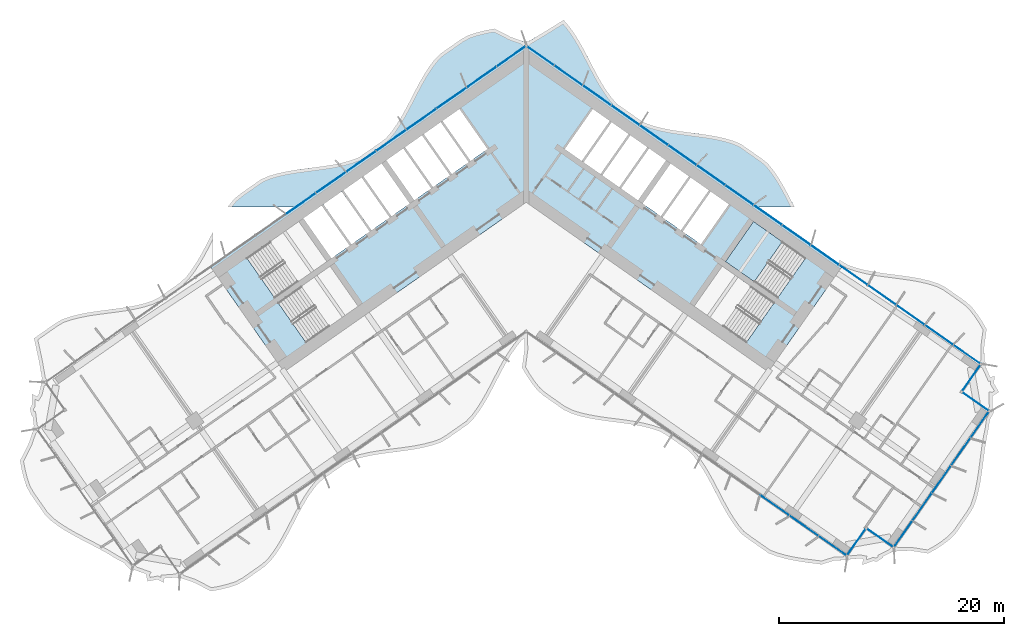
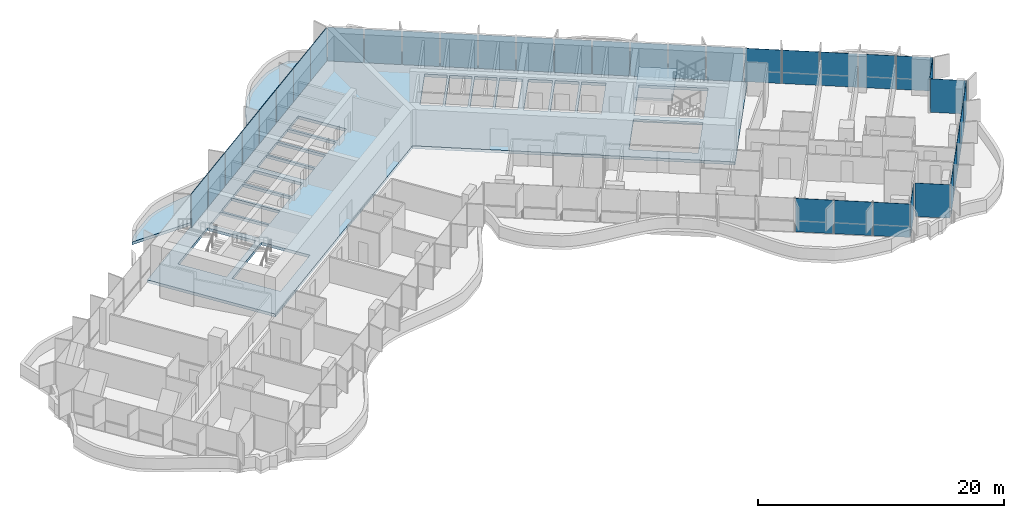
# One storey, part 11 of 23: 36 plates, 3 slabs, 3 elements without a shape of their own.
"""IFC4 building model written with IfcOpenShell, lengths in metres."""

from ifc_helpers import new_model, si_unit, direction, frame, origin, origin_2d, place, context, subcontext, project, spatial, polyline, rectangle, outline, extrude, material, layer, layer_set, type_object, element, aggregate, save


model = new_model("IFC4")

# Units and contexts
model_context = context("Model", 3, precision=1e-05, world=origin(), true_north=direction((0.0, 1.0)))
body_context = subcontext(model_context, "Body", "Model", "MODEL_VIEW")
ifc_project = project(units=[si_unit("LENGTHUNIT", "METRE"), si_unit("AREAUNIT", "SQUARE_METRE"), si_unit("VOLUMEUNIT", "CUBIC_METRE"), si_unit("PLANEANGLEUNIT", "RADIAN"), si_unit("MASSUNIT", "GRAM", prefix="KILO")], contexts=[model_context])

# Site, building, storey
site_placement = place(None, origin())
site = spatial("IfcSite", under=ifc_project, at=site_placement, CompositionType="ELEMENT")
building_placement = place(site_placement, origin())
building = spatial("IfcBuilding", under=site, at=building_placement, Name="Tel Ilan Convention Tower", CompositionType="ELEMENT")
storey_placement = place(building_placement, frame((0.0, 0.0, 94.10009765625)))
storey = spatial("IfcBuildingStorey", under=building, at=storey_placement, Name="L19", CompositionType="ELEMENT", Elevation=94.10009765625)

# Curtain wall, plates
ifc_material_1 = material(Name="Aluminium, bronze anodised", Category="aluminium")
curtain_wall_type_1 = type_object("IfcCurtainWallType", Name="CW1 UNITISED CURTAIN WALL, HOTEL TINTED GLASS", PredefinedType="NOTDEFINED", material=ifc_material_1)
curtain_wall_1_placement = place(storey_placement, origin())
curtain_wall_1 = element("IfcCurtainWall", 1, at=curtain_wall_1_placement, inside=storey, type_object=curtain_wall_type_1, Name="Curtain wall CW1-17.02", PredefinedType="NOTDEFINED")
ifc_material_2 = material(Name="Glass, bronze tinted, two-ply unitised", Category="glass")
ifc_layer_1 = layer(ifc_material_2, 0.028076171875)
ifc_layer_set_1 = layer_set([ifc_layer_1], Name="CW HOTEL GLASS PANEL 28")
plate_type_1 = type_object("IfcPlateType", Name="CW HOTEL GLASS PANEL 28", PredefinedType="CURTAIN_PANEL", material=ifc_layer_set_1)
plate_1_placement = place(storey_placement, frame((22.115478515625, -28.181396484375, 0.0), z_axis=(0.0, 0.0, 1.0), x_axis=(0.819152044289, -0.573576436351, 0.0)))
plate_1 = element("IfcPlate", 2, at=plate_1_placement, type_object=plate_type_1, Name="Glass panel", PredefinedType="CURTAIN_PANEL", context=body_context, shape_type="SweptSolid", body=[
    extrude(rectangle(XDim=3.10791015625, YDim=0.028076171875, at=origin_2d()), origin(), (0.0, 0.0, 1.0), 3.320068359375),
])
plate_2_placement = place(storey_placement, frame((24.71044921875, -29.99853515625, 0.0), z_axis=(0.0, 0.0, 1.0), x_axis=(0.819152044289, -0.573576436351, 0.0)))
plate_2 = element("IfcPlate", 3, at=plate_2_placement, type_object=plate_type_1, Name="Glass panel", PredefinedType="CURTAIN_PANEL", context=body_context, shape_type="SweptSolid", body=[
    extrude(rectangle(XDim=3.10791015625, YDim=0.028076171875, at=origin_2d()), origin(), (0.0, 0.0, 1.0), 3.320068359375),
])
plate_3_placement = place(storey_placement, frame((27.26708984375, -31.78857421875, 0.0), z_axis=(0.0, 0.0, 1.0), x_axis=(0.819152044289, -0.573576436351, 0.0)))
plate_3 = element("IfcPlate", 4, at=plate_3_placement, type_object=plate_type_1, Name="Glass panel", PredefinedType="CURTAIN_PANEL", context=body_context, shape_type="SweptSolid", body=[
    extrude(rectangle(XDim=3.013916015625, YDim=0.028076171875, at=origin_2d()), origin(), (0.0, 0.0, 1.0), 3.320068359375),
])
plate_4_placement = place(storey_placement, frame((29.359375, -31.469482421875, 0.0), z_axis=(0.0, 0.0, 1.0), x_axis=(0.573576436351, 0.819152044289, 0.0)))
plate_4 = element("IfcPlate", 5, at=plate_4_placement, type_object=plate_type_1, Name="Glass panel", PredefinedType="CURTAIN_PANEL", context=body_context, shape_type="SweptSolid", body=[
    extrude(rectangle(XDim=2.875, YDim=0.028076171875, at=origin_2d()), origin(), (0.0, 0.0, 1.0), 3.320068359375),
])
plate_5_placement = place(storey_placement, frame((31.502197265625, -31.091796875, 0.0), z_axis=(0.0, 0.0, 1.0), x_axis=(0.819152044289, -0.573576436351, 0.0)))
plate_5 = element("IfcPlate", 6, at=plate_5_placement, type_object=plate_type_1, Name="Glass panel", PredefinedType="CURTAIN_PANEL", context=body_context, shape_type="SweptSolid", body=[
    extrude(rectangle(XDim=2.875, YDim=0.028076171875, at=origin_2d()), origin(), (0.0, 0.0, 1.0), 3.320068359375),
])
plate_6_placement = place(storey_placement, frame((33.529296875, -30.74462890625, 0.0), z_axis=(0.0, 0.0, 1.0), x_axis=(0.573576436351, 0.819152044289, 0.0)))
plate_6 = element("IfcPlate", 7, at=plate_6_placement, type_object=plate_type_1, Name="Glass panel", PredefinedType="CURTAIN_PANEL", context=body_context, shape_type="SweptSolid", body=[
    extrude(rectangle(XDim=2.845947265625, YDim=0.028076171875, at=origin_2d()), origin(), (0.0, 0.0, 1.0), 3.320068359375),
])
plate_7_placement = place(storey_placement, frame((35.22314453125, -28.32568359375, 0.0), z_axis=(0.0, 0.0, 1.0), x_axis=(0.573576436351, 0.819152044289, 0.0)))
plate_7 = element("IfcPlate", 8, at=plate_7_placement, type_object=plate_type_1, Name="Glass panel", PredefinedType="CURTAIN_PANEL", context=body_context, shape_type="SweptSolid", body=[
    extrude(rectangle(XDim=2.93994140625, YDim=0.028076171875, at=origin_2d()), origin(), (0.0, 0.0, 1.0), 3.320068359375),
])
plate_8_placement = place(storey_placement, frame((36.94384765625, -25.868408203125, 0.0), z_axis=(0.0, 0.0, 1.0), x_axis=(0.573576436351, 0.819152044289, 0.0)))
plate_8 = element("IfcPlate", 9, at=plate_8_placement, type_object=plate_type_1, Name="Glass panel", PredefinedType="CURTAIN_PANEL", context=body_context, shape_type="SweptSolid", body=[
    extrude(rectangle(XDim=2.93994140625, YDim=0.028076171875, at=origin_2d()), origin(), (0.0, 0.0, 1.0), 3.320068359375),
])
plate_9_placement = place(storey_placement, frame((38.66455078125, -23.410888671875, 0.0), z_axis=(0.0, 0.0, 1.0), x_axis=(0.573576436351, 0.819152044289, 0.0)))
plate_9 = element("IfcPlate", 10, at=plate_9_placement, type_object=plate_type_1, Name="Glass panel", PredefinedType="CURTAIN_PANEL", context=body_context, shape_type="SweptSolid", body=[
    extrude(rectangle(XDim=2.93994140625, YDim=0.028076171875, at=origin_2d()), origin(), (0.0, 0.0, 1.0), 3.320068359375),
])
plate_10_placement = place(storey_placement, frame((40.358154296875, -20.991943359375, 0.0), z_axis=(0.0, 0.0, 1.0), x_axis=(0.573576436351, 0.819152044289, 0.0)))
plate_10 = element("IfcPlate", 11, at=plate_10_placement, type_object=plate_type_1, Name="Glass panel", PredefinedType="CURTAIN_PANEL", context=body_context, shape_type="SweptSolid", body=[
    extrude(rectangle(XDim=2.845947265625, YDim=0.028076171875, at=origin_2d()), origin(), (0.0, 0.0, 1.0), 3.320068359375),
])
plate_11_placement = place(storey_placement, frame((39.990966796875, -18.96826171875, 0.0), z_axis=(0.0, 0.0, 1.0), x_axis=(-0.819152044289, 0.573576436351, 0.0)))
plate_11 = element("IfcPlate", 12, at=plate_11_placement, type_object=plate_type_1, Name="Glass panel", PredefinedType="CURTAIN_PANEL", context=body_context, shape_type="SweptSolid", body=[
    extrude(rectangle(XDim=2.875, YDim=0.028076171875, at=origin_2d()), origin(), (0.0, 0.0, 1.0), 3.320068359375),
])
plate_12_placement = place(storey_placement, frame((39.61328125, -16.82568359375, 0.0), z_axis=(0.0, 0.0, 1.0), x_axis=(0.573576436351, 0.819152044289, 0.0)))
plate_12 = element("IfcPlate", 13, at=plate_12_placement, type_object=plate_type_1, Name="Glass panel", PredefinedType="CURTAIN_PANEL", context=body_context, shape_type="SweptSolid", body=[
    extrude(rectangle(XDim=2.875, YDim=0.028076171875, at=origin_2d()), origin(), (0.0, 0.0, 1.0), 3.320068359375),
])
plate_13_placement = place(storey_placement, frame((39.2265625, -14.7705078125, 0.0), z_axis=(0.0, 0.0, 1.0), x_axis=(-0.819152044289, 0.573576436351, 0.0)))
plate_13 = element("IfcPlate", 14, at=plate_13_placement, type_object=plate_type_1, Name="Glass panel", PredefinedType="CURTAIN_PANEL", context=body_context, shape_type="SweptSolid", body=[
    extrude(rectangle(XDim=2.943115234375, YDim=0.028076171875, at=origin_2d()), origin(), (0.0, 0.0, 1.0), 3.320068359375),
])
plate_14_placement = place(storey_placement, frame((36.72802734375, -13.021240234375, 0.0), z_axis=(0.0, 0.0, 1.0), x_axis=(-0.819152044289, 0.573576436351, 0.0)))
plate_14 = element("IfcPlate", 15, at=plate_14_placement, type_object=plate_type_1, Name="Glass panel", PredefinedType="CURTAIN_PANEL", context=body_context, shape_type="SweptSolid", body=[
    extrude(rectangle(XDim=3.037109375, YDim=0.028076171875, at=origin_2d()), origin(), (0.0, 0.0, 1.0), 3.320068359375),
])
plate_15_placement = place(storey_placement, frame((34.191162109375, -11.244873046875, 0.0), z_axis=(0.0, 0.0, 1.0), x_axis=(-0.819152044289, 0.573576436351, 0.0)))
plate_15 = element("IfcPlate", 16, at=plate_15_placement, type_object=plate_type_1, Name="Glass panel", PredefinedType="CURTAIN_PANEL", context=body_context, shape_type="SweptSolid", body=[
    extrude(rectangle(XDim=3.037109375, YDim=0.028076171875, at=origin_2d()), origin(), (0.0, 0.0, 1.0), 3.320068359375),
])
plate_16_placement = place(storey_placement, frame((31.654296875, -9.468505859375, 0.0), z_axis=(0.0, 0.0, 1.0), x_axis=(-0.819152044289, 0.573576436351, 0.0)))
plate_16 = element("IfcPlate", 17, at=plate_16_placement, type_object=plate_type_1, Name="Glass panel", PredefinedType="CURTAIN_PANEL", context=body_context, shape_type="SweptSolid", body=[
    extrude(rectangle(XDim=3.037109375, YDim=0.028076171875, at=origin_2d()), origin(), (0.0, 0.0, 1.0), 3.320068359375),
])
plate_17_placement = place(storey_placement, frame((29.1171875, -7.692138671875, 0.0), z_axis=(0.0, 0.0, 1.0), x_axis=(-0.819152044289, 0.573576436351, 0.0)))
plate_17 = element("IfcPlate", 18, at=plate_17_placement, type_object=plate_type_1, Name="Glass panel", PredefinedType="CURTAIN_PANEL", context=body_context, shape_type="SweptSolid", body=[
    extrude(rectangle(XDim=3.037109375, YDim=0.028076171875, at=origin_2d()), origin(), (0.0, 0.0, 1.0), 3.320068359375),
])
aggregate(curtain_wall_1, [plate_1, plate_2, plate_3, plate_4, plate_5, plate_6, plate_7, plate_8, plate_9, plate_10, plate_11, plate_12, plate_13, plate_14, plate_15, plate_16, plate_17])

ifc_material_3 = material(Name="Aluminium, bronze anodised", Category="aluminium")
curtain_wall_type_2 = type_object("IfcCurtainWallType", Name="CW2 STICK CURTAIN WALL, SPANDREL PANELS", PredefinedType="NOTDEFINED", material=ifc_material_3)
curtain_wall_2_placement = place(storey_placement, origin())
curtain_wall_2 = element("IfcCurtainWall", 19, at=curtain_wall_2_placement, inside=storey, type_object=curtain_wall_type_2, Name="Curtain wall CW2-17.01", PredefinedType="NOTDEFINED")
ifc_material_4 = material(Name="Aluminium composite panel, bronze anodised", Category="aluminium")
ifc_layer_2 = layer(ifc_material_4, 0.06005859375)
ifc_layer_set_2 = layer_set([ifc_layer_2], Name="CW SPANDREL PANEL 60")
plate_type_2 = type_object("IfcPlateType", Name="CW SPANDREL PANEL 60", PredefinedType="CURTAIN_PANEL", material=ifc_layer_set_2)
plate_18_placement = place(storey_placement, frame((26.580322265625, -5.915771484375, 0.0), z_axis=(0.0, 0.0, 1.0), x_axis=(-0.819152044289, 0.573576436351, 0.0)))
plate_18 = element("IfcPlate", 20, at=plate_18_placement, type_object=plate_type_2, Name="Spandrel panel", PredefinedType="CURTAIN_PANEL", context=body_context, shape_type="SweptSolid", body=[
    extrude(rectangle(XDim=3.037109375, YDim=0.06005859375, at=origin_2d()), origin(), (0.0, 0.0, 1.0), 3.320068359375),
])
plate_19_placement = place(storey_placement, frame((24.04345703125, -4.139404296875, 0.0), z_axis=(0.0, 0.0, 1.0), x_axis=(-0.819152044289, 0.573576436351, 0.0)))
plate_19 = element("IfcPlate", 21, at=plate_19_placement, type_object=plate_type_2, Name="Spandrel panel", PredefinedType="CURTAIN_PANEL", context=body_context, shape_type="SweptSolid", body=[
    extrude(rectangle(XDim=3.037109375, YDim=0.06005859375, at=origin_2d()), origin(), (0.0, 0.0, 1.0), 3.320068359375),
])
plate_20_placement = place(storey_placement, frame((21.506591796875, -2.363037109375, 0.0), z_axis=(0.0, 0.0, 1.0), x_axis=(-0.819152044289, 0.573576436351, 0.0)))
plate_20 = element("IfcPlate", 22, at=plate_20_placement, type_object=plate_type_2, Name="Spandrel panel", PredefinedType="CURTAIN_PANEL", context=body_context, shape_type="SweptSolid", body=[
    extrude(rectangle(XDim=3.037109375, YDim=0.06005859375, at=origin_2d()), origin(), (0.0, 0.0, 1.0), 3.320068359375),
])
plate_21_placement = place(storey_placement, frame((18.969482421875, -0.586669921875, 0.0), z_axis=(0.0, 0.0, 1.0), x_axis=(-0.819152044289, 0.573576436351, 0.0)))
plate_21 = element("IfcPlate", 23, at=plate_21_placement, type_object=plate_type_2, Name="Spandrel panel", PredefinedType="CURTAIN_PANEL", context=body_context, shape_type="SweptSolid", body=[
    extrude(rectangle(XDim=3.037109375, YDim=0.06005859375, at=origin_2d()), origin(), (0.0, 0.0, 1.0), 3.320068359375),
])
plate_22_placement = place(storey_placement, frame((16.4326171875, 1.189697265625, 0.0), z_axis=(0.0, 0.0, 1.0), x_axis=(-0.819152044289, 0.573576436351, 0.0)))
plate_22 = element("IfcPlate", 24, at=plate_22_placement, type_object=plate_type_2, Name="Spandrel panel", PredefinedType="CURTAIN_PANEL", context=body_context, shape_type="SweptSolid", body=[
    extrude(rectangle(XDim=3.037109375, YDim=0.06005859375, at=origin_2d()), origin(), (0.0, 0.0, 1.0), 3.320068359375),
])
plate_23_placement = place(storey_placement, frame((13.895751953125, 2.966064453125, 0.0), z_axis=(0.0, 0.0, 1.0), x_axis=(-0.819152044289, 0.573576436351, 0.0)))
plate_23 = element("IfcPlate", 25, at=plate_23_placement, type_object=plate_type_2, Name="Spandrel panel", PredefinedType="CURTAIN_PANEL", context=body_context, shape_type="SweptSolid", body=[
    extrude(rectangle(XDim=3.037109375, YDim=0.06005859375, at=origin_2d()), origin(), (0.0, 0.0, 1.0), 3.320068359375),
])
plate_24_placement = place(storey_placement, frame((11.35888671875, 4.742431640625, 0.0), z_axis=(0.0, 0.0, 1.0), x_axis=(-0.819152044289, 0.573576436351, 0.0)))
plate_24 = element("IfcPlate", 26, at=plate_24_placement, type_object=plate_type_2, Name="Spandrel panel", PredefinedType="CURTAIN_PANEL", context=body_context, shape_type="SweptSolid", body=[
    extrude(rectangle(XDim=3.037109375, YDim=0.06005859375, at=origin_2d()), origin(), (0.0, 0.0, 1.0), 3.320068359375),
])
plate_25_placement = place(storey_placement, frame((8.82177734375, 6.518798828125, 0.0), z_axis=(0.0, 0.0, 1.0), x_axis=(-0.819152044289, 0.573576436351, 0.0)))
plate_25 = element("IfcPlate", 27, at=plate_25_placement, type_object=plate_type_2, Name="Spandrel panel", PredefinedType="CURTAIN_PANEL", context=body_context, shape_type="SweptSolid", body=[
    extrude(rectangle(XDim=3.037109375, YDim=0.06005859375, at=origin_2d()), origin(), (0.0, 0.0, 1.0), 3.320068359375),
])
plate_26_placement = place(storey_placement, frame((6.284912109375, 8.295166015625, 0.0), z_axis=(0.0, 0.0, 1.0), x_axis=(-0.819152044289, 0.573576436351, 0.0)))
plate_26 = element("IfcPlate", 28, at=plate_26_placement, type_object=plate_type_2, Name="Spandrel panel", PredefinedType="CURTAIN_PANEL", context=body_context, shape_type="SweptSolid", body=[
    extrude(rectangle(XDim=3.037109375, YDim=0.06005859375, at=origin_2d()), origin(), (0.0, 0.0, 1.0), 3.320068359375),
])
plate_27_placement = place(storey_placement, frame((3.748046875, 10.07177734375, 0.0), z_axis=(0.0, 0.0, 1.0), x_axis=(-0.819152044289, 0.573576436351, 0.0)))
plate_27 = element("IfcPlate", 29, at=plate_27_placement, type_object=plate_type_2, Name="Spandrel panel", PredefinedType="CURTAIN_PANEL", context=body_context, shape_type="SweptSolid", body=[
    extrude(rectangle(XDim=3.037109375, YDim=0.06005859375, at=origin_2d()), origin(), (0.0, 0.0, 1.0), 3.320068359375),
])
plate_28_placement = place(storey_placement, frame((1.256103515625, 11.81640625, 0.0), z_axis=(0.0, 0.0, 1.0), x_axis=(-0.819152044289, 0.573576436351, 0.0)))
plate_28 = element("IfcPlate", 30, at=plate_28_placement, type_object=plate_type_2, Name="Spandrel panel", PredefinedType="CURTAIN_PANEL", context=body_context, shape_type="SweptSolid", body=[
    extrude(rectangle(XDim=2.927001953125, YDim=0.06005859375, at=origin_2d()), origin(), (0.0, 0.0, 1.0), 3.320068359375),
])
plate_29_placement = place(storey_placement, frame((-1.327880859375, 11.766357421875, 0.0), z_axis=(0.0, 0.0, 1.0), x_axis=(-0.819152044289, -0.573576436351, 0.0)))
plate_29 = element("IfcPlate", 31, at=plate_29_placement, type_object=plate_type_2, Name="Spandrel panel", PredefinedType="CURTAIN_PANEL", context=body_context, shape_type="SweptSolid", body=[
    extrude(rectangle(XDim=3.10205078125, YDim=0.06005859375, at=origin_2d()), origin(), (0.0, 0.0, 1.0), 3.320068359375),
])
plate_30_placement = place(storey_placement, frame((-3.963134765625, 9.921142578125, 0.0), z_axis=(0.0, 0.0, 1.0), x_axis=(-0.819152044289, -0.573576436351, 0.0)))
plate_30 = element("IfcPlate", 32, at=plate_30_placement, type_object=plate_type_2, Name="Spandrel panel", PredefinedType="CURTAIN_PANEL", context=body_context, shape_type="SweptSolid", body=[
    extrude(rectangle(XDim=3.2119140625, YDim=0.06005859375, at=origin_2d()), origin(), (0.0, 0.0, 1.0), 3.320068359375),
])
plate_31_placement = place(storey_placement, frame((-6.643310546875, 8.04443359375, 0.0), z_axis=(0.0, 0.0, 1.0), x_axis=(-0.819152044289, -0.573576436351, 0.0)))
plate_31 = element("IfcPlate", 33, at=plate_31_placement, type_object=plate_type_2, Name="Spandrel panel", PredefinedType="CURTAIN_PANEL", context=body_context, shape_type="SweptSolid", body=[
    extrude(rectangle(XDim=3.2119140625, YDim=0.06005859375, at=origin_2d()), origin(), (0.0, 0.0, 1.0), 3.320068359375),
])
plate_32_placement = place(storey_placement, frame((-9.323486328125, 6.16748046875, 0.0), z_axis=(0.0, 0.0, 1.0), x_axis=(-0.819152044289, -0.573576436351, 0.0)))
plate_32 = element("IfcPlate", 34, at=plate_32_placement, type_object=plate_type_2, Name="Spandrel panel", PredefinedType="CURTAIN_PANEL", context=body_context, shape_type="SweptSolid", body=[
    extrude(rectangle(XDim=3.2119140625, YDim=0.06005859375, at=origin_2d()), origin(), (0.0, 0.0, 1.0), 3.320068359375),
])
plate_33_placement = place(storey_placement, frame((-12.00390625, 4.290771484375, 0.0), z_axis=(0.0, 0.0, 1.0), x_axis=(-0.819152044289, -0.573576436351, 0.0)))
plate_33 = element("IfcPlate", 35, at=plate_33_placement, type_object=plate_type_2, Name="Spandrel panel", PredefinedType="CURTAIN_PANEL", context=body_context, shape_type="SweptSolid", body=[
    extrude(rectangle(XDim=3.2119140625, YDim=0.06005859375, at=origin_2d()), origin(), (0.0, 0.0, 1.0), 3.320068359375),
])
plate_34_placement = place(storey_placement, frame((-14.68408203125, 2.4140625, 0.0), z_axis=(0.0, 0.0, 1.0), x_axis=(-0.819152044289, -0.573576436351, 0.0)))
plate_34 = element("IfcPlate", 36, at=plate_34_placement, type_object=plate_type_2, Name="Spandrel panel", PredefinedType="CURTAIN_PANEL", context=body_context, shape_type="SweptSolid", body=[
    extrude(rectangle(XDim=3.2119140625, YDim=0.06005859375, at=origin_2d()), origin(), (0.0, 0.0, 1.0), 3.320068359375),
])
plate_35_placement = place(storey_placement, frame((-17.364501953125, 0.537353515625, 0.0), z_axis=(0.0, 0.0, 1.0), x_axis=(-0.819152044289, -0.573576436351, 0.0)))
plate_35 = element("IfcPlate", 37, at=plate_35_placement, type_object=plate_type_2, Name="Spandrel panel", PredefinedType="CURTAIN_PANEL", context=body_context, shape_type="SweptSolid", body=[
    extrude(rectangle(XDim=3.2119140625, YDim=0.06005859375, at=origin_2d()), origin(), (0.0, 0.0, 1.0), 3.320068359375),
])
plate_36_placement = place(storey_placement, frame((-20.044677734375, -1.33935546875, 0.0), z_axis=(0.0, 0.0, 1.0), x_axis=(-0.819152044289, -0.573576436351, 0.0)))
plate_36 = element("IfcPlate", 38, at=plate_36_placement, type_object=plate_type_2, Name="Spandrel panel", PredefinedType="CURTAIN_PANEL", context=body_context, shape_type="SweptSolid", body=[
    extrude(rectangle(XDim=3.2119140625, YDim=0.06005859375, at=origin_2d()), origin(), (0.0, 0.0, 1.0), 3.320068359375),
])
aggregate(curtain_wall_2, [plate_18, plate_19, plate_20, plate_21, plate_22, plate_23, plate_24, plate_25, plate_26, plate_27, plate_28, plate_29, plate_30, plate_31, plate_32, plate_33, plate_34, plate_35, plate_36])

# Stair, slab
ifc_material_5 = material(Name="Concrete C40/50", Category="concrete")
stair_type = type_object("IfcStairType", Name="Pressurised Exit Stair 20 risers 180 mm", PredefinedType="HALF_TURN_STAIR", material=ifc_material_5)
stair_placement = place(storey_placement, origin())
stair = element("IfcStair", 39, at=stair_placement, inside=storey, type_object=stair_type, Name="L19 Pressurised Stair S3", PredefinedType="HALF_TURN_STAIR")
ifc_material_6 = material(Name="Concrete C40/50", Category="concrete")
ifc_layer_3 = layer(ifc_material_6, 0.199951171875)
ifc_layer_set_3 = layer_set([ifc_layer_3], Name="Concrete Stair Landing 200 mm C40/50")
slab_type_1 = type_object("IfcSlabType", Name="Concrete Stair Landing 200 mm", PredefinedType="LANDING", material=ifc_layer_set_3)
slab_1_placement = place(storey_placement, frame((0.0, 0.0, 1.599853515625)))
slab_1 = element("IfcSlab", 40, at=slab_1_placement, type_object=slab_type_1, Name="S3 landing 1", PredefinedType="LANDING", context=body_context, shape_type="SweptSolid", body=[
    extrude(outline(polyline([(22.791015625, -4.727294921875), (20.226318359375, -2.931640625), (17.7314453125, -6.494873046875), (20.2958984375, -8.29052734375), (22.791015625, -4.727294921875)])), origin(), (0.0, 0.0, 1.0), 0.199951171875),
])
aggregate(stair, [slab_1])

# Slabs
ifc_material_7 = material(Name="Concrete C40/50", Category="concrete")
ifc_layer_4 = layer(ifc_material_7, 0.280029296875)
ifc_layer_set_4 = layer_set([ifc_layer_4], Name="Core Floor Slab 280 mm C40/50")
slab_type_2 = type_object("IfcSlabType", Name="Core Floor Slab 280 mm C40/50", PredefinedType="FLOOR", material=ifc_layer_set_4)
slab_2_placement = place(storey_placement, frame((0.0, 0.0, -0.280029296875)))
element("IfcSlab", 41, at=slab_2_placement, inside=storey, type_object=slab_type_2, Name="L19 core floor 1", PredefinedType="FLOOR", context=body_context, shape_type="SweptSolid", body=[
    extrude(outline(polyline([(-28.1396484375, -6.885498046875), (0.0, 12.818115234375), (28.1396484375, -6.885498046875), (21.54345703125, -16.3056640625), (0.0, -1.220703125), (-21.54345703125, -16.3056640625), (-28.1396484375, -6.885498046875)]), holes=[polyline([(-14.949462890625, -10.4677734375), (-17.444580078125, -6.904541015625), (-22.072021484375, -10.144775390625), (-19.5771484375, -13.7080078125), (-14.949462890625, -10.4677734375)]), polyline([(-17.7314453125, -6.494873046875), (-20.226318359375, -2.931640625), (-24.85400390625, -6.171875), (-22.35888671875, -9.735107421875), (-17.7314453125, -6.494873046875)]), polyline([(-18.198974609375, -1.511962890625), (-19.81689453125, -2.644775390625), (-17.32177734375, -6.2080078125), (-15.7041015625, -5.0751953125), (-18.198974609375, -1.511962890625)]), polyline([(-16.41748046875, -0.264404296875), (-18.03515625, -1.397216796875), (-15.5400390625, -4.960693359375), (-13.92236328125, -3.827880859375), (-16.41748046875, -0.264404296875)]), polyline([(-14.6357421875, 0.983154296875), (-16.25341796875, -0.149658203125), (-13.758544921875, -3.712890625), (-12.140625, -2.580078125), (-14.6357421875, 0.983154296875)]), polyline([(-12.85400390625, 2.230712890625), (-14.471923828125, 1.097900390625), (-11.976806640625, -2.465576171875), (-10.35888671875, -1.332763671875), (-12.85400390625, 2.230712890625)]), polyline([(-10.939208984375, 3.5712890625), (-12.444580078125, 2.517333984375), (-9.949462890625, -1.0458984375), (-8.444091796875, 0.008056640625), (-10.939208984375, 3.5712890625)]), polyline([(-6.775146484375, 1.1767578125), (-9.270263671875, 4.739990234375), (-10.775390625, 3.68603515625), (-8.280517578125, 0.122802734375), (-6.775146484375, 1.1767578125)]), polyline([(-5.106201171875, 2.345458984375), (-7.601318359375, 5.90869140625), (-9.1064453125, 4.854736328125), (-6.611328125, 1.29150390625), (-5.106201171875, 2.345458984375)]), polyline([(-5.93212890625, 7.077392578125), (-7.4375, 6.0234375), (-4.9423828125, 2.460205078125), (-3.437255859375, 3.513916015625), (-5.93212890625, 7.077392578125)]), polyline([(17.444580078125, -6.904541015625), (14.949462890625, -10.4677734375), (19.5771484375, -13.7080078125), (22.072021484375, -10.144775390625), (17.444580078125, -6.904541015625)]), polyline([(20.226318359375, -2.931640625), (17.7314453125, -6.494873046875), (22.35888671875, -9.735107421875), (24.85400390625, -6.171875), (20.226318359375, -2.931640625)]), polyline([(13.92236328125, -3.827880859375), (15.5400390625, -4.960693359375), (18.03515625, -1.397216796875), (16.41748046875, -0.264404296875), (13.92236328125, -3.827880859375)]), polyline([(12.140625, -2.580078125), (13.758544921875, -3.712890625), (16.25341796875, -0.149658203125), (14.6357421875, 0.983154296875), (12.140625, -2.580078125)]), polyline([(11.976806640625, -2.465576171875), (14.471923828125, 1.097900390625), (12.85400390625, 2.230712890625), (10.35888671875, -1.332763671875), (11.976806640625, -2.465576171875)]), polyline([(9.949462890625, -1.0458984375), (12.444580078125, 2.517333984375), (10.939208984375, 3.5712890625), (8.444091796875, 0.008056640625), (9.949462890625, -1.0458984375)]), polyline([(8.280517578125, 0.122802734375), (10.775390625, 3.68603515625), (9.270263671875, 4.739990234375), (6.775146484375, 1.1767578125), (8.280517578125, 0.122802734375)]), polyline([(5.106201171875, 2.345458984375), (6.611328125, 1.29150390625), (9.1064453125, 4.854736328125), (7.601318359375, 5.90869140625), (5.106201171875, 2.345458984375)]), polyline([(3.437255859375, 3.513916015625), (4.9423828125, 2.460205078125), (7.4375, 6.0234375), (5.93212890625, 7.077392578125), (3.437255859375, 3.513916015625)])]), origin(), (0.0, 0.0, 1.0), 0.280029296875),
])
ifc_material_8 = material(Name="Concrete C40/50", Category="concrete")
ifc_layer_5 = layer(ifc_material_8, 0.280029296875)
ifc_layer_set_5 = layer_set([ifc_layer_5], Name="Edge Ledge Slab 280 mm C40/50")
slab_type_3 = type_object("IfcSlabType", Name="Edge Ledge Slab 280 mm C40/50", PredefinedType="FLOOR", material=ifc_layer_set_5)
slab_3_placement = place(storey_placement, frame((0.0, 0.0, -0.280029296875)))
element("IfcSlab", 42, at=slab_3_placement, inside=storey, type_object=slab_type_3, Name="L19 edge ledge 2", PredefinedType="FLOOR", context=body_context, shape_type="SweptSolid", body=[
    extrude(outline(polyline([(-23.564453125, 0.8349609375), (-22.857421875, 1.129150390625), (-22.099365234375, 1.350341796875), (-21.307861328125, 1.52392578125), (-20.490966796875, 1.661376953125), (-19.658203125, 1.77587890625), (-18.8193359375, 1.881591796875), (-17.98486328125, 1.993896484375), (-17.16455078125, 2.12646484375), (-16.368408203125, 2.29296875), (-15.60400390625, 2.50537109375), (-14.87890625, 2.773681640625), (-14.2626953125, 3.197509765625), (-13.037353515625, 4.055419921875), (-12.43994140625, 4.506103515625), (-11.945068359375, 5.103271484375), (-11.48828125, 5.755126953125), (-11.06298828125, 6.451416015625), (-10.66015625, 7.179931640625), (-10.2705078125, 7.927490234375), (-9.8837890625, 8.67919921875), (-9.489990234375, 9.42041015625), (-9.078857421875, 10.13720703125), (-8.641357421875, 10.81640625), (-8.169677734375, 11.446533203125), (-7.635986328125, 11.98828125), (-5.798095703125, 13.275146484375), (-5.14013671875, 13.639404296875), (-4.39794921875, 13.88330078125), (-3.619384765625, 14.075439453125), (-2.81201171875, 14.226318359375), (-1.382080078125, 13.48828125), (-0.172119140625, 13.06396484375), (-0.168701171875, 13.05908203125), (-0.11474609375, 13.09521484375), (0.0, 13.1181640625), (0.11474609375, 13.09521484375), (0.168701171875, 13.05908203125), (0.172119140625, 13.06396484375), (1.732666015625, 14.003173828125), (3.331787109375, 14.997802734375), (3.8291015625, 14.418212890625), (4.28662109375, 13.7822265625), (4.71240234375, 13.100830078125), (5.1142578125, 12.385498046875), (5.50146484375, 11.64892578125), (5.883544921875, 10.9052734375), (6.2705078125, 10.168701171875), (6.672119140625, 9.452880859375), (7.09765625, 8.770751953125), (7.5546875, 8.134033203125), (8.050048828125, 7.55224609375), (8.65380859375, 7.125), (9.865478515625, 6.276611328125), (10.483642578125, 5.8701171875), (11.20458984375, 5.610107421875), (11.963134765625, 5.404052734375), (12.75244140625, 5.241943359375), (13.564697265625, 5.1123046875), (14.390380859375, 5.002197265625), (15.2197265625, 4.8974609375), (16.043212890625, 4.78369140625), (16.8505859375, 4.647705078125), (17.63330078125, 4.47607421875), (18.38330078125, 4.2578125), (19.08544921875, 3.97119140625), (20.903076171875, 2.698486328125), (21.484130859375, 2.239013671875), (21.9697265625, 1.643310546875), (22.418701171875, 0.99462890625), (22.83740234375, 0.3037109375), (23.23486328125, -0.41845703125), (23.619873046875, -1.158203125), (23.86328125, -1.631591796875), (20.63623046875, -1.631591796875), (0.0, 12.818115234375), (-20.63623046875, -1.631591796875), (-26.5380859375, -1.631591796875), (-26.470947265625, -1.533447265625), (-25.98291015625, -0.9267578125), (-25.40234375, -0.451904296875), (-23.564453125, 0.8349609375)])), origin(), (0.0, 0.0, 1.0), 0.280029296875),
])

save(model, "model.ifc")
